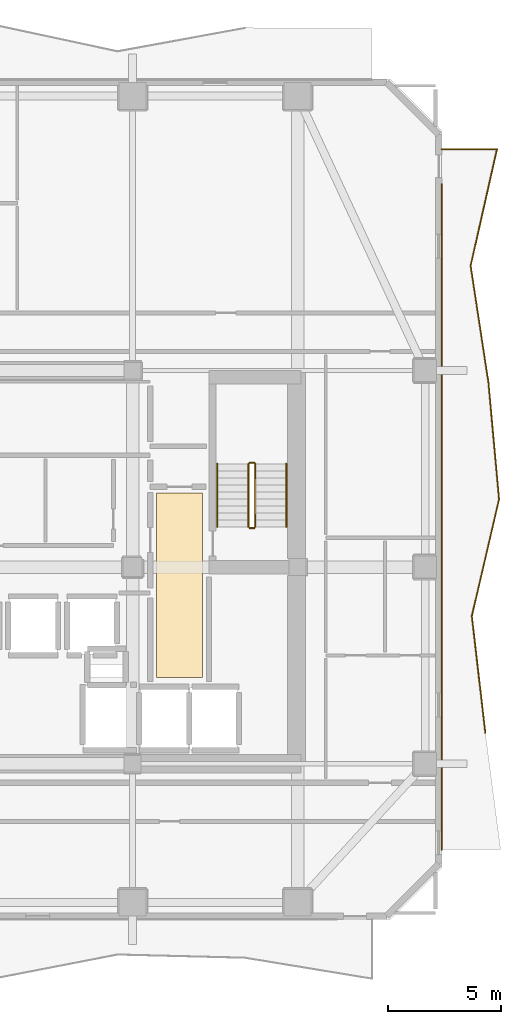
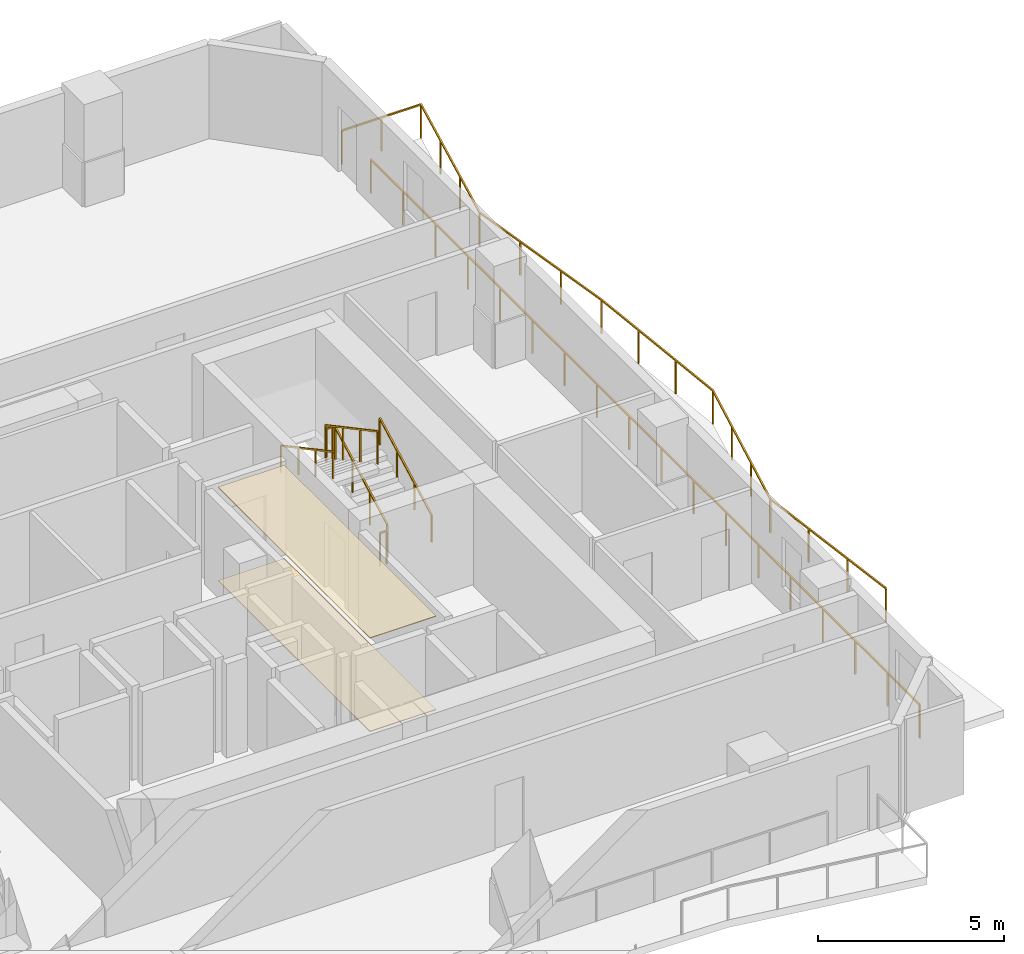
# One storey, part 9 of 10: 8 railings, 2 coverings.
"""IFC4 building model written with IfcOpenShell, lengths in metres."""

from ifc_helpers import new_model, si_unit, direction, frame, origin, origin_2d, place, context, subcontext, project, spatial, polyline, rectangle, outline, extrude, material, layer, layer_set, type_object, element, save


model = new_model("IFC4")

# Units and contexts
model_context = context("Model", 3, precision=1e-05, world=origin(), true_north=direction((0.0, 1.0)))
body_context = subcontext(model_context, "Body", "Model", "MODEL_VIEW")
ifc_project = project(units=[si_unit("LENGTHUNIT", "METRE"), si_unit("AREAUNIT", "SQUARE_METRE"), si_unit("VOLUMEUNIT", "CUBIC_METRE"), si_unit("PLANEANGLEUNIT", "RADIAN"), si_unit("MASSUNIT", "GRAM", prefix="KILO")], contexts=[model_context])

# Site, building, storey
site_placement = place(None, origin())
site = spatial("IfcSite", under=ifc_project, at=site_placement, CompositionType="ELEMENT")
building_placement = place(site_placement, origin())
building = spatial("IfcBuilding", under=site, at=building_placement, Name="Solanera Arch Residences", CompositionType="ELEMENT")
storey_placement = place(building_placement, frame((0.0, 0.0, 183.52001953125)))
storey = spatial("IfcBuildingStorey", under=building, at=storey_placement, Name="L53", CompositionType="ELEMENT", Elevation=183.52001953125)

# Railings
ifc_material_1 = material(Name="Steel S355 (ASTM A992 / A572 Grade 50)", Category="steel")
railing_type_1 = type_object("IfcRailingType", Name="Balustrade Railing BL-1100", PredefinedType="BALUSTRADE", material=ifc_material_1)
railing_1_placement = place(storey_placement, frame((44.81201171875, 23.366943359375, 0.0)))
element("IfcRailing", 1, at=railing_1_placement, inside=storey, type_object=railing_type_1, Name="L53 E Balcony Balustrade 1", PredefinedType="BALUSTRADE", context=body_context, shape_type="SweptSolid", body=[
    extrude(rectangle(XDim=0.048095703125, YDim=0.048095703125, at=origin_2d()), frame((0.0, 0.0, 1.09619140625), z_axis=(-0.114599160596, 0.993411814099, 0.0), x_axis=(-0.993411814099, -0.114599160596, 0.0)), (0.0, 0.0, 1.0), 5.2001953125),
    extrude(rectangle(XDim=0.048095703125, YDim=0.048095703125, at=origin_2d()), frame((-0.595947265625, 5.166015625, 1.09619140625), z_axis=(0.226912475326, 0.973915154693, 0.0), x_axis=(-0.973915154693, 0.226912475326, 0.0)), (0.0, 0.0, 1.0), 5.305419921875),
    extrude(rectangle(XDim=0.048095703125, YDim=0.048095703125, at=origin_2d()), frame((0.60791015625, 10.3330078125, 1.09619140625), z_axis=(-0.090395732471, 0.995905925051, 0.0), x_axis=(-0.995905925051, -0.090395732471, 0.0)), (0.0, 0.0, 1.0), 5.188232421875),
    extrude(rectangle(XDim=0.048095703125, YDim=0.048095703125, at=origin_2d()), frame((0.138916015625, 15.5, 1.09619140625), z_axis=(-0.150944239237, 0.988542278631, 0.0), x_axis=(-0.988542278631, -0.150944239237, 0.0)), (0.0, 0.0, 1.0), 5.225830078125),
    extrude(rectangle(XDim=0.048095703125, YDim=0.048095703125, at=origin_2d()), frame((-0.64990234375, 20.666015625, 1.09619140625), z_axis=(0.220306138957, 0.975430779265, 0.0), x_axis=(-0.975430779265, 0.220306138957, 0.0)), (0.0, 0.0, 1.0), 5.297119140625),
    extrude(rectangle(XDim=0.048095703125, YDim=0.048095703125, at=origin_2d()), frame((0.51708984375, 25.8330078125, 1.09619140625), z_axis=(-1.0, 0.0, 0.0), x_axis=(0.0, -1.0, 0.0)), (0.0, 0.0, 1.0), 2.44921875),
    extrude(rectangle(XDim=0.0419921875, YDim=0.0419921875, at=origin_2d()), origin(), (0.0, 0.0, 1.0), 1.072021484375),
    extrude(rectangle(XDim=0.0419921875, YDim=0.0419921875, at=origin_2d()), frame((-0.19873046875, 1.721923828125, 0.0)), (0.0, 0.0, 1.0), 1.072021484375),
    extrude(rectangle(XDim=0.0419921875, YDim=0.0419921875, at=origin_2d()), frame((-0.397216796875, 3.444091796875, 0.0)), (0.0, 0.0, 1.0), 1.072021484375),
    extrude(rectangle(XDim=0.0419921875, YDim=0.0419921875, at=origin_2d()), frame((-0.595947265625, 5.166015625, 0.0)), (0.0, 0.0, 1.0), 1.072021484375),
    extrude(rectangle(XDim=0.0419921875, YDim=0.0419921875, at=origin_2d()), frame((-0.194580078125, 6.888427734375, 0.0)), (0.0, 0.0, 1.0), 1.072021484375),
    extrude(rectangle(XDim=0.0419921875, YDim=0.0419921875, at=origin_2d()), frame((0.20654296875, 8.610595703125, 0.0)), (0.0, 0.0, 1.0), 1.072021484375),
    extrude(rectangle(XDim=0.0419921875, YDim=0.0419921875, at=origin_2d()), frame((0.60791015625, 10.3330078125, 0.0)), (0.0, 0.0, 1.0), 1.072021484375),
    extrude(rectangle(XDim=0.0419921875, YDim=0.0419921875, at=origin_2d()), frame((0.45166015625, 12.055419921875, 0.0)), (0.0, 0.0, 1.0), 1.072021484375),
    extrude(rectangle(XDim=0.0419921875, YDim=0.0419921875, at=origin_2d()), frame((0.295166015625, 13.777587890625, 0.0)), (0.0, 0.0, 1.0), 1.072021484375),
    extrude(rectangle(XDim=0.0419921875, YDim=0.0419921875, at=origin_2d()), frame((0.138916015625, 15.5, 0.0)), (0.0, 0.0, 1.0), 1.072021484375),
    extrude(rectangle(XDim=0.0419921875, YDim=0.0419921875, at=origin_2d()), frame((-0.1240234375, 17.221923828125, 0.0)), (0.0, 0.0, 1.0), 1.072021484375),
    extrude(rectangle(XDim=0.0419921875, YDim=0.0419921875, at=origin_2d()), frame((-0.386962890625, 18.944091796875, 0.0)), (0.0, 0.0, 1.0), 1.072021484375),
    extrude(rectangle(XDim=0.0419921875, YDim=0.0419921875, at=origin_2d()), frame((-0.64990234375, 20.666015625, 0.0)), (0.0, 0.0, 1.0), 1.072021484375),
    extrude(rectangle(XDim=0.0419921875, YDim=0.0419921875, at=origin_2d()), frame((-0.260986328125, 22.388427734375, 0.0)), (0.0, 0.0, 1.0), 1.072021484375),
    extrude(rectangle(XDim=0.0419921875, YDim=0.0419921875, at=origin_2d()), frame((0.128173828125, 24.110595703125, 0.0)), (0.0, 0.0, 1.0), 1.072021484375),
    extrude(rectangle(XDim=0.0419921875, YDim=0.0419921875, at=origin_2d()), frame((0.51708984375, 25.8330078125, 0.0)), (0.0, 0.0, 1.0), 1.072021484375),
    extrude(rectangle(XDim=0.0419921875, YDim=0.0419921875, at=origin_2d()), frame((-0.70751953125, 25.8330078125, 0.0)), (0.0, 0.0, 1.0), 1.072021484375),
    extrude(rectangle(XDim=0.0419921875, YDim=0.0419921875, at=origin_2d()), frame((-1.93212890625, 25.8330078125, 0.0)), (0.0, 0.0, 1.0), 1.072021484375),
])
railing_2_placement = place(storey_placement, frame((42.8798828125, 47.64111328125, 0.0)))
element("IfcRailing", 2, at=railing_2_placement, inside=storey, type_object=railing_type_1, Name="L53 E Balcony Balustrade 2", PredefinedType="BALUSTRADE", context=body_context, shape_type="SweptSolid", body=[
    extrude(rectangle(XDim=0.048095703125, YDim=0.048095703125, at=origin_2d()), frame((0.0, 0.0, 1.09619140625), z_axis=(0.0, -1.0, 0.0), x_axis=(1.0, 0.0, 0.0)), (0.0, 0.0, 1.0), 29.441162109375),
    extrude(rectangle(XDim=0.0419921875, YDim=0.0419921875, at=origin_2d()), origin(), (0.0, 0.0, 1.0), 1.072021484375),
    extrude(rectangle(XDim=0.0419921875, YDim=0.0419921875, at=origin_2d()), frame((0.0, -1.73193359375, 0.0)), (0.0, 0.0, 1.0), 1.072021484375),
    extrude(rectangle(XDim=0.0419921875, YDim=0.0419921875, at=origin_2d()), frame((0.0, -3.463623046875, 0.0)), (0.0, 0.0, 1.0), 1.072021484375),
    extrude(rectangle(XDim=0.0419921875, YDim=0.0419921875, at=origin_2d()), frame((0.0, -5.195556640625, 0.0)), (0.0, 0.0, 1.0), 1.072021484375),
    extrude(rectangle(XDim=0.0419921875, YDim=0.0419921875, at=origin_2d()), frame((0.0, -6.92724609375, 0.0)), (0.0, 0.0, 1.0), 1.072021484375),
    extrude(rectangle(XDim=0.0419921875, YDim=0.0419921875, at=origin_2d()), frame((0.0, -8.6591796875, 0.0)), (0.0, 0.0, 1.0), 1.072021484375),
    extrude(rectangle(XDim=0.0419921875, YDim=0.0419921875, at=origin_2d()), frame((0.0, -10.39111328125, 0.0)), (0.0, 0.0, 1.0), 1.072021484375),
    extrude(rectangle(XDim=0.0419921875, YDim=0.0419921875, at=origin_2d()), frame((0.0, -12.122802734375, 0.0)), (0.0, 0.0, 1.0), 1.072021484375),
    extrude(rectangle(XDim=0.0419921875, YDim=0.0419921875, at=origin_2d()), frame((0.0, -13.854736328125, 0.0)), (0.0, 0.0, 1.0), 1.072021484375),
    extrude(rectangle(XDim=0.0419921875, YDim=0.0419921875, at=origin_2d()), frame((0.0, -15.58642578125, 0.0)), (0.0, 0.0, 1.0), 1.072021484375),
    extrude(rectangle(XDim=0.0419921875, YDim=0.0419921875, at=origin_2d()), frame((0.0, -17.318359375, 0.0)), (0.0, 0.0, 1.0), 1.072021484375),
    extrude(rectangle(XDim=0.0419921875, YDim=0.0419921875, at=origin_2d()), frame((0.0, -19.050048828125, 0.0)), (0.0, 0.0, 1.0), 1.072021484375),
    extrude(rectangle(XDim=0.0419921875, YDim=0.0419921875, at=origin_2d()), frame((0.0, -20.781982421875, 0.0)), (0.0, 0.0, 1.0), 1.072021484375),
    extrude(rectangle(XDim=0.0419921875, YDim=0.0419921875, at=origin_2d()), frame((0.0, -22.513916015625, 0.0)), (0.0, 0.0, 1.0), 1.072021484375),
    extrude(rectangle(XDim=0.0419921875, YDim=0.0419921875, at=origin_2d()), frame((0.0, -24.24560546875, 0.0)), (0.0, 0.0, 1.0), 1.072021484375),
    extrude(rectangle(XDim=0.0419921875, YDim=0.0419921875, at=origin_2d()), frame((0.0, -25.9775390625, 0.0)), (0.0, 0.0, 1.0), 1.072021484375),
    extrude(rectangle(XDim=0.0419921875, YDim=0.0419921875, at=origin_2d()), frame((0.0, -27.709228515625, 0.0)), (0.0, 0.0, 1.0), 1.072021484375),
    extrude(rectangle(XDim=0.0419921875, YDim=0.0419921875, at=origin_2d()), frame((0.0, -29.441162109375, 0.0)), (0.0, 0.0, 1.0), 1.072021484375),
])

# Covering
ifc_material_2 = material(Name="Porcelain Acoustic Floor Tile", Category="ceramic")
ifc_layer_1 = layer(ifc_material_2, 0.02001953125)
ifc_layer_set_1 = layer_set([ifc_layer_1], Name="Porcelain Acoustic Floor Tile")
covering_type_1 = type_object("IfcCoveringType", Name="Porcelain Acoustic Floor Finish FLR-20", PredefinedType="FLOORING", material=ifc_layer_set_1)
covering_1_placement = place(storey_placement, origin())
element("IfcCovering", 3, at=covering_1_placement, inside=storey, type_object=covering_type_1, Name="L53-FFL-E Porcelain Floor Finish", PredefinedType="FLOORING", context=body_context, shape_type="SweptSolid", body=[
    extrude(outline(polyline([(32.304931640625, 25.824951171875), (30.25, 25.824951171875), (30.25, 33.97509765625), (32.304931640625, 33.97509765625), (32.304931640625, 25.824951171875)])), origin(), (0.0, 0.0, 1.0), 0.02001953125),
])

# Railings
ifc_material_3 = material(Name="Steel S355 (ASTM A992 / A572 Grade 50)", Category="steel")
railing_type_2 = type_object("IfcRailingType", Name="Stair Guardrail GR-1100", PredefinedType="GUARDRAIL", material=ifc_material_3)
railing_3_placement = place(storey_placement, frame((34.6298828125, 32.47998046875, 0.15087890625)))
element("IfcRailing", 4, at=railing_3_placement, inside=storey, type_object=railing_type_2, Name="L53 ST-T2 stair guard 1", PredefinedType="GUARDRAIL", context=body_context, shape_type="SweptSolid", body=[
    extrude(rectangle(XDim=0.048095703125, YDim=0.048095703125, at=origin_2d()), frame((0.0, 0.0, 1.076171875), z_axis=(0.0, 0.881548766853, 0.472092969298), x_axis=(-1.0, 0.0, 0.0)), (0.0, 0.0, 1.0), 3.1650390625),
    extrude(rectangle(XDim=0.0419921875, YDim=0.0419921875, at=origin_2d()), origin(), (0.0, 0.0, 1.0), 1.052001953125),
    extrude(rectangle(XDim=0.0419921875, YDim=0.0419921875, at=origin_2d()), frame((0.0, 0.929931640625, 0.498046875)), (0.0, 0.0, 1.0), 1.052001953125),
    extrude(rectangle(XDim=0.0419921875, YDim=0.0419921875, at=origin_2d()), frame((0.0, 1.860107421875, 0.99609375)), (0.0, 0.0, 1.0), 1.052001953125),
    extrude(rectangle(XDim=0.0419921875, YDim=0.0419921875, at=origin_2d()), frame((0.0, 2.7900390625, 1.494140625)), (0.0, 0.0, 1.0), 1.052001953125),
])
railing_4_placement = place(storey_placement, frame((34.580078125, 35.320068359375, 1.64501953125)))
element("IfcRailing", 5, at=railing_4_placement, inside=storey, type_object=railing_type_2, Name="L53 ST-T2 stair guard 2", PredefinedType="GUARDRAIL", context=body_context, shape_type="SweptSolid", body=[
    extrude(rectangle(XDim=0.048095703125, YDim=0.048095703125, at=origin_2d()), frame((0.0, 0.0, 1.076171875), z_axis=(-1.0, 0.0, 0.0), x_axis=(0.0, -1.0, 0.0)), (0.0, 0.0, 1.0), 0.2001953125),
    extrude(rectangle(XDim=0.0419921875, YDim=0.0419921875, at=origin_2d()), origin(), (0.0, 0.0, 1.0), 1.052001953125),
    extrude(rectangle(XDim=0.0419921875, YDim=0.0419921875, at=origin_2d()), frame((-0.2001953125, 0.0, 0.0)), (0.0, 0.0, 1.0), 1.052001953125),
])
railing_5_placement = place(storey_placement, frame((34.330078125, 35.27001953125, 1.81103515625)))
element("IfcRailing", 6, at=railing_5_placement, inside=storey, type_object=railing_type_2, Name="L53 ST-T2 stair guard 3", PredefinedType="GUARDRAIL", context=body_context, shape_type="SweptSolid", body=[
    extrude(rectangle(XDim=0.048095703125, YDim=0.048095703125, at=origin_2d()), frame((0.0, 0.0, 1.076171875), z_axis=(0.0, -0.881580869306, 0.472033018838), x_axis=(1.0, 0.0, 0.0)), (0.0, 0.0, 1.0), 3.164794921875),
    extrude(rectangle(XDim=0.0419921875, YDim=0.0419921875, at=origin_2d()), origin(), (0.0, 0.0, 1.0), 1.052001953125),
    extrude(rectangle(XDim=0.0419921875, YDim=0.0419921875, at=origin_2d()), frame((0.0, -0.929931640625, 0.498046875)), (0.0, 0.0, 1.0), 1.052001953125),
    extrude(rectangle(XDim=0.0419921875, YDim=0.0419921875, at=origin_2d()), frame((0.0, -1.860107421875, 0.995849609375)), (0.0, 0.0, 1.0), 1.052001953125),
    extrude(rectangle(XDim=0.0419921875, YDim=0.0419921875, at=origin_2d()), frame((0.0, -2.7900390625, 1.493896484375)), (0.0, 0.0, 1.0), 1.052001953125),
])
railing_6_placement = place(storey_placement, frame((34.580078125, 32.429931640625, -0.01513671875)))
element("IfcRailing", 7, at=railing_6_placement, inside=storey, type_object=railing_type_2, Name="L53 ST-T2 stair guard 4", PredefinedType="GUARDRAIL", context=body_context, shape_type="SweptSolid", body=[
    extrude(rectangle(XDim=0.048095703125, YDim=0.048095703125, at=origin_2d()), frame((0.0, 0.0, 1.076171875), z_axis=(-1.0, 0.0, 0.0), x_axis=(0.0, -1.0, 0.0)), (0.0, 0.0, 1.0), 0.2001953125),
    extrude(rectangle(XDim=0.0419921875, YDim=0.0419921875, at=origin_2d()), origin(), (0.0, 0.0, 1.0), 1.052001953125),
    extrude(rectangle(XDim=0.0419921875, YDim=0.0419921875, at=origin_2d()), frame((-0.2001953125, 0.0, 0.0)), (0.0, 0.0, 1.0), 1.052001953125),
])
ifc_material_4 = material(Name="Steel S355 (ASTM A992 / A572 Grade 50)", Category="steel")
railing_type_3 = type_object("IfcRailingType", Name="Stair Wall Handrail HR-920", PredefinedType="HANDRAIL", material=ifc_material_4)
railing_7_placement = place(storey_placement, frame((36.010009765625, 32.47998046875, 0.166015625)))
element("IfcRailing", 8, at=railing_7_placement, inside=storey, type_object=railing_type_3, Name="L53 ST-T2 stair handrail 1", PredefinedType="HANDRAIL", context=body_context, shape_type="SweptSolid", body=[
    extrude(rectangle(XDim=0.048095703125, YDim=0.048095703125, at=origin_2d()), frame((0.0, 0.0, 0.8759765625), z_axis=(0.0, 0.881580869306, 0.472033018838), x_axis=(-1.0, 0.0, 0.0)), (0.0, 0.0, 1.0), 3.164794921875),
    extrude(rectangle(XDim=0.0419921875, YDim=0.0419921875, at=origin_2d()), origin(), (0.0, 0.0, 1.0), 0.851806640625),
    extrude(rectangle(XDim=0.0419921875, YDim=0.0419921875, at=origin_2d()), frame((0.0, 0.929931640625, 0.498046875)), (0.0, 0.0, 1.0), 0.851806640625),
    extrude(rectangle(XDim=0.0419921875, YDim=0.0419921875, at=origin_2d()), frame((0.0, 1.860107421875, 0.995849609375)), (0.0, 0.0, 1.0), 0.851806640625),
    extrude(rectangle(XDim=0.0419921875, YDim=0.0419921875, at=origin_2d()), frame((0.0, 2.7900390625, 1.493896484375)), (0.0, 0.0, 1.0), 0.851806640625),
])
railing_8_placement = place(storey_placement, frame((32.949951171875, 35.27001953125, 1.825927734375)))
element("IfcRailing", 9, at=railing_8_placement, inside=storey, type_object=railing_type_3, Name="L53 ST-T2 stair handrail 2", PredefinedType="HANDRAIL", context=body_context, shape_type="SweptSolid", body=[
    extrude(rectangle(XDim=0.048095703125, YDim=0.048095703125, at=origin_2d()), frame((0.0, 0.0, 0.8759765625), z_axis=(0.0, -0.881548766853, 0.472092969298), x_axis=(1.0, 0.0, 0.0)), (0.0, 0.0, 1.0), 3.1650390625),
    extrude(rectangle(XDim=0.0419921875, YDim=0.0419921875, at=origin_2d()), origin(), (0.0, 0.0, 1.0), 0.851806640625),
    extrude(rectangle(XDim=0.0419921875, YDim=0.0419921875, at=origin_2d()), frame((0.0, -0.929931640625, 0.498046875)), (0.0, 0.0, 1.0), 0.851806640625),
    extrude(rectangle(XDim=0.0419921875, YDim=0.0419921875, at=origin_2d()), frame((0.0, -1.860107421875, 0.99609375)), (0.0, 0.0, 1.0), 0.851806640625),
    extrude(rectangle(XDim=0.0419921875, YDim=0.0419921875, at=origin_2d()), frame((0.0, -2.7900390625, 1.494140625)), (0.0, 0.0, 1.0), 0.851806640625),
])

# Covering
ifc_material_5 = material(Name="Mineral Fibre Acoustic Ceiling Board", Category="gypsum")
ifc_layer_2 = layer(ifc_material_5, 0.02490234375)
ifc_layer_set_2 = layer_set([ifc_layer_2], Name="Mineral Fibre Acoustic Ceiling Board")
covering_type_2 = type_object("IfcCoveringType", Name="Suspended Acoustic Ceiling Board CLG-25", PredefinedType="CEILING", material=ifc_layer_set_2)
covering_2_placement = place(storey_placement, frame((0.0, 0.0, 3.054931640625)))
element("IfcCovering", 10, at=covering_2_placement, inside=storey, type_object=covering_type_2, Name="L53-FFL-E Acoustic Ceiling", PredefinedType="CEILING", context=body_context, shape_type="SweptSolid", body=[
    extrude(outline(polyline([(32.304931640625, 25.824951171875), (30.25, 25.824951171875), (30.25, 33.97509765625), (32.304931640625, 33.97509765625), (32.304931640625, 25.824951171875)])), origin(), (0.0, 0.0, 1.0), 0.025146484375),
])

save(model, "model.ifc")
